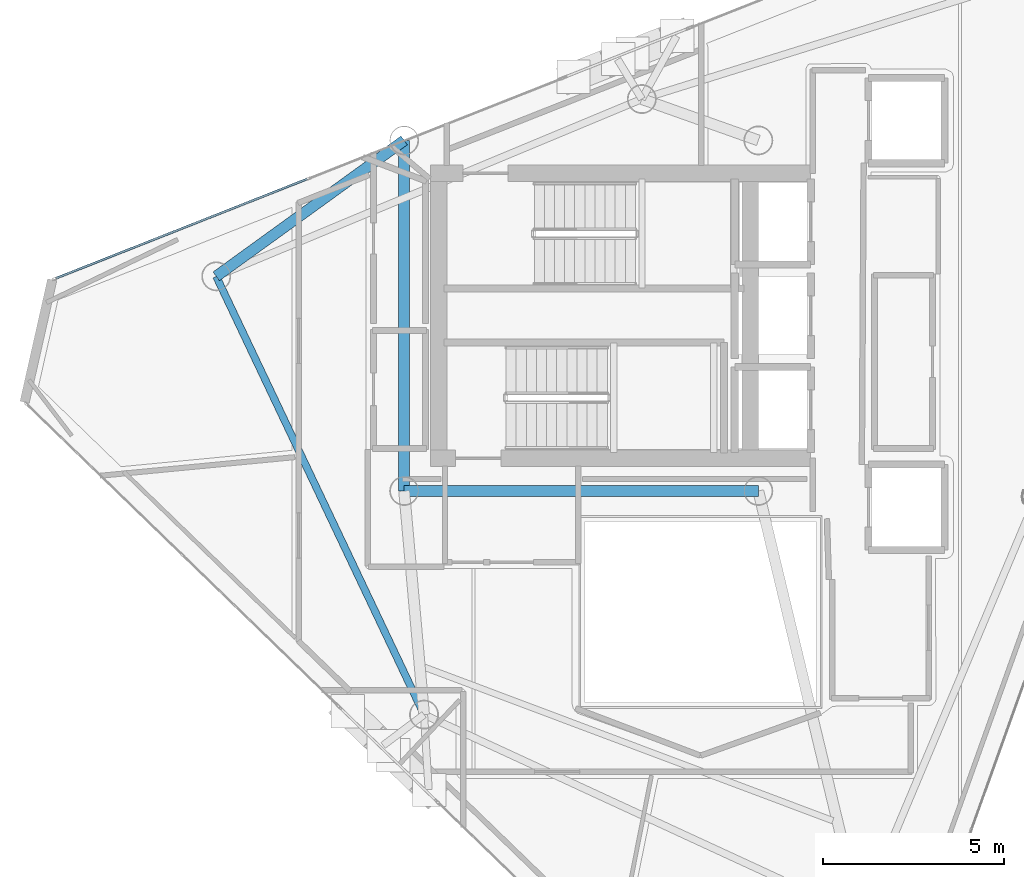
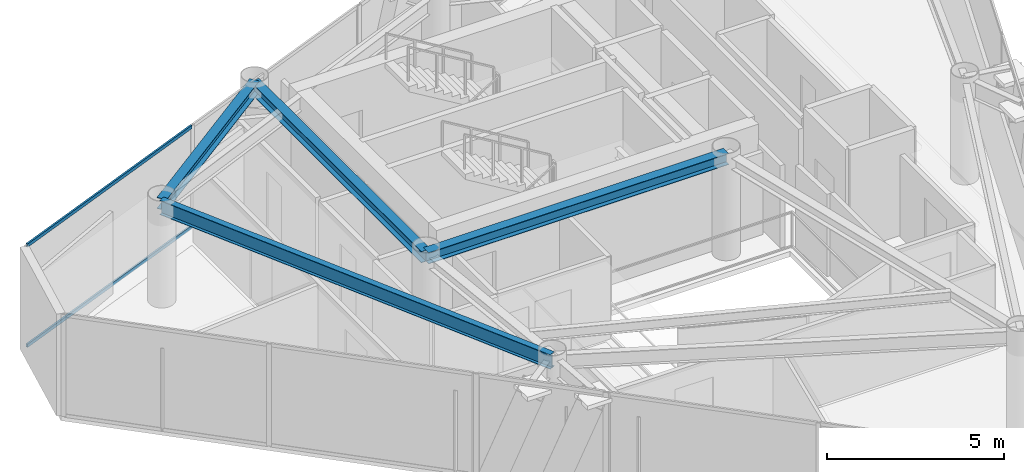
# One storey, part 8 of 19: 4 beams, 2 members, 1 element without a shape of its own.
"""IFC4 building model written with IfcOpenShell, lengths in metres."""

from ifc_helpers import new_model, si_unit, direction, frame, origin, origin_2d, place, context, subcontext, project, spatial, hollow_rectangle, i_section, extrude, material, layer, layer_set, material_profile, profile_set, type_object, element, aggregate, save


model = new_model("IFC4")

# Units and contexts
model_context = context("Model", 3, precision=1e-05, world=origin(), true_north=direction((0.0, 1.0)))
body_context = subcontext(model_context, "Body", "Model", "MODEL_VIEW")
ifc_project = project(units=[si_unit("LENGTHUNIT", "METRE"), si_unit("AREAUNIT", "SQUARE_METRE"), si_unit("VOLUMEUNIT", "CUBIC_METRE"), si_unit("PLANEANGLEUNIT", "RADIAN"), si_unit("MASSUNIT", "GRAM", prefix="KILO")], contexts=[model_context])

# Site, building, storey
site_placement = place(None, origin())
site = spatial("IfcSite", under=ifc_project, at=site_placement, CompositionType="ELEMENT")
building_placement = place(site_placement, origin())
building = spatial("IfcBuilding", under=site, at=building_placement, Name="Qianvela Tower", CompositionType="ELEMENT")
storey_placement = place(building_placement, frame((0.0, 0.0, 344.39990234375)))
storey = spatial("IfcBuildingStorey", under=building, at=storey_placement, Name="L89", CompositionType="ELEMENT", Elevation=344.39990234375)

# Beams
ifc_material_1 = material(Name="Steel Q355B", Category="steel")
ifc_material_profile_1 = material_profile(ifc_material_1, i_section(OverallWidth=0.300048828125, OverallDepth=0.389892578125, WebThickness=0.010009765625, FlangeThickness=0.01611328125, at=origin_2d()), Name="HM390x300x10x16")
ifc_profile_set_1 = profile_set([ifc_material_profile_1], Name="Steel Q355B")
beam_type_1 = type_object("IfcBeamType", Name="BM-HM390-COLL", PredefinedType="BEAM", material=ifc_profile_set_1)
beam_1_placement = place(storey_placement, frame((28.60009765625, 23.85009765625, 3.322998046875), z_axis=(1.0, 0.0, 0.0), x_axis=(0.0, 1.0, 0.0)))
element("IfcBeam", 1, at=beam_1_placement, inside=storey, type_object=beam_type_1, Name="L89 Core Ring Collector Girder CC1", PredefinedType="BEAM", context=body_context, shape_type="SweptSolid", body=[
    extrude(i_section(OverallWidth=0.300048828125, OverallDepth=0.389892578125, WebThickness=0.010009765625, FlangeThickness=0.01611328125, at=origin_2d()), origin(), (0.0, 0.0, 1.0), 9.7998046875),
])
beam_2_placement = place(storey_placement, frame((28.60009765625, 33.550048828125, 3.322998046875), z_axis=(0.0, -1.0, 0.0), x_axis=(1.0, 0.0, 0.0)))
element("IfcBeam", 2, at=beam_2_placement, inside=storey, type_object=beam_type_1, Name="L89 Core Ring Collector Girder CC2", PredefinedType="BEAM", context=body_context, shape_type="SweptSolid", body=[
    extrude(i_section(OverallWidth=0.300048828125, OverallDepth=0.389892578125, WebThickness=0.010009765625, FlangeThickness=0.01611328125, at=origin_2d()), origin(), (0.0, 0.0, 1.0), 9.699951171875),
])
beam_3_placement = place(storey_placement, frame((28.60009765625, 33.550048828125, 3.322998046875), z_axis=(-0.810287827692, -0.586032112, 0.0), x_axis=(0.586032112, -0.810287827692, 0.0)))
element("IfcBeam", 3, at=beam_3_placement, inside=storey, type_object=beam_type_1, Name="L89 Radial Primary Floor Girder 3", PredefinedType="BEAM", context=body_context, shape_type="SweptSolid", body=[
    extrude(i_section(OverallWidth=0.300048828125, OverallDepth=0.389892578125, WebThickness=0.010009765625, FlangeThickness=0.01611328125, at=origin_2d()), origin(), (0.0, 0.0, 1.0), 6.417724609375),
])
ifc_material_2 = material(Name="Steel Q355B", Category="steel")
ifc_material_profile_2 = material_profile(ifc_material_2, i_section(OverallWidth=0.199951171875, OverallDepth=0.5, WebThickness=0.010009765625, FlangeThickness=0.01611328125, at=origin_2d()), Name="HN500x200x10x16")
ifc_profile_set_2 = profile_set([ifc_material_profile_2], Name="Steel Q355B")
beam_type_2 = type_object("IfcBeamType", Name="BM-HN500-GIRD", PredefinedType="BEAM", material=ifc_profile_set_2)
beam_4_placement = place(storey_placement, frame((23.39990234375, 29.7890625, 3.26806640625), z_axis=(0.428430375526, -0.903574796753, 0.0), x_axis=(0.903574796753, 0.428430375526, 0.0)))
element("IfcBeam", 4, at=beam_4_placement, inside=storey, type_object=beam_type_2, Name="L89 Perimeter Ring Spandrel Girder 3", PredefinedType="BEAM", context=body_context, shape_type="SweptSolid", body=[
    extrude(i_section(OverallWidth=0.199951171875, OverallDepth=0.5, WebThickness=0.010009765625, FlangeThickness=0.01611328125, at=origin_2d()), origin(), (0.0, 0.0, 1.0), 13.421142578125),
])

# Curtain wall, members
ifc_material_3 = material(Name="Anodised Architectural Aluminium and Low-E Glass", Category="aluminium")
ifc_layer = layer(ifc_material_3, 0.14990234375)
ifc_layer_set = layer_set([ifc_layer], Name="Anodised Architectural Aluminium and Low-E Glass")
curtain_wall_type = type_object("IfcCurtainWallType", Name="CW-COLIV-Z78", PredefinedType="USERDEFINED", material=ifc_layer_set)
curtain_wall_placement = place(storey_placement, origin())
curtain_wall = element("IfcCurtainWall", 5, at=curtain_wall_placement, inside=storey, type_object=curtain_wall_type, Name="L89 CW-COLIV-Z78 Curtain Wall 02C", ObjectType="CURTAIN_WALL_SYSTEM", PredefinedType="USERDEFINED")
ifc_material_4 = material(Name="Anodised Architectural Aluminium 6063-T6", Category="aluminium")
ifc_material_profile_3 = material_profile(ifc_material_4, hollow_rectangle(XDim=0.06005859375, YDim=0.114990234375, WallThickness=0.00390625, at=origin_2d()), Name="ALU-TRAN-60x115")
ifc_profile_set_3 = profile_set([ifc_material_profile_3], Name="Anodised Architectural Aluminium 6063-T6")
member_type = type_object("IfcMemberType", Name="CW-COLIV-Z78-TRAN", PredefinedType="USERDEFINED", material=ifc_profile_set_3)
member_1_placement = place(storey_placement, frame((25.918701171875, 32.48388671875, 0.030029296875), z_axis=(-0.92998615231, -0.367594554518, 0.0), x_axis=(0.367594554518, -0.92998615231, 0.0)))
member_1 = element("IfcMember", 6, at=member_1_placement, type_object=member_type, Name="CW-6 transom 2.1", ObjectType="TRANSOM", PredefinedType="USERDEFINED", context=body_context, shape_type="SweptSolid", body=[
    extrude(hollow_rectangle(XDim=0.06005859375, YDim=0.114990234375, WallThickness=0.00390625, at=origin_2d()), origin(), (0.0, 0.0, 1.0), 7.479736328125),
])
member_2_placement = place(storey_placement, frame((25.918701171875, 32.48388671875, 3.489990234375), z_axis=(-0.92998615231, -0.367594554518, 0.0), x_axis=(0.367594554518, -0.92998615231, 0.0)))
member_2 = element("IfcMember", 7, at=member_2_placement, type_object=member_type, Name="CW-6 transom 2.2", ObjectType="TRANSOM", PredefinedType="USERDEFINED", context=body_context, shape_type="SweptSolid", body=[
    extrude(hollow_rectangle(XDim=0.06005859375, YDim=0.114990234375, WallThickness=0.00390625, at=origin_2d()), origin(), (0.0, 0.0, 1.0), 7.479736328125),
])
aggregate(curtain_wall, [member_1, member_2])

save(model, "model.ifc")
